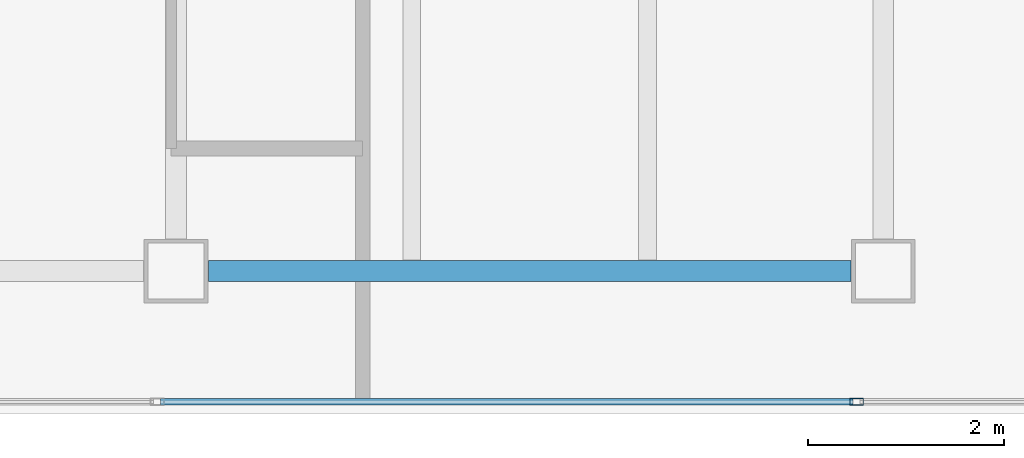
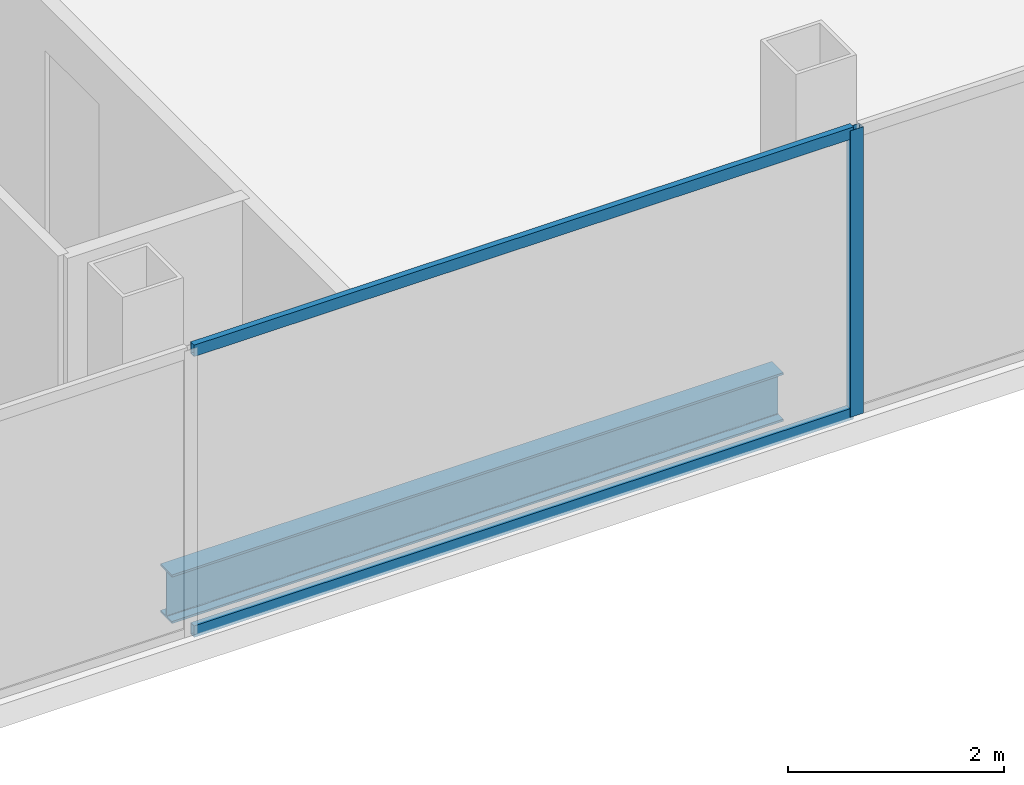
# One storey, part 12 of 23: 3 members, 1 beam, 1 element without a shape of its own.
"""IFC4 building model written with IfcOpenShell, lengths in metres."""

from ifc_helpers import new_model, si_unit, direction, frame, origin, origin_2d, place, context, subcontext, project, spatial, hollow_rectangle, i_section, extrude, material, material_profile, profile_set, type_object, element, aggregate, save


model = new_model("IFC4")

# Units and contexts
model_context = context("Model", 3, precision=1e-05, world=origin(), true_north=direction((0.0, 1.0)))
body_context = subcontext(model_context, "Body", "Model", "MODEL_VIEW")
ifc_project = project(units=[si_unit("LENGTHUNIT", "METRE"), si_unit("AREAUNIT", "SQUARE_METRE"), si_unit("VOLUMEUNIT", "CUBIC_METRE"), si_unit("PLANEANGLEUNIT", "RADIAN"), si_unit("MASSUNIT", "GRAM", prefix="KILO")], contexts=[model_context])

# Site, building, storey
site_placement = place(None, origin())
site = spatial("IfcSite", under=ifc_project, at=site_placement, CompositionType="ELEMENT")
building_placement = place(site_placement, origin())
building = spatial("IfcBuilding", under=site, at=building_placement, Name="Cobrela Telecom Tower", CompositionType="ELEMENT")
storey_placement = place(building_placement, frame((0.0, 0.0, 276.14990234375)))
storey = spatial("IfcBuildingStorey", under=building, at=storey_placement, Name="L72", CompositionType="ELEMENT", Elevation=276.14990234375)

# Beam
ifc_material_1 = material(Name="Steel ASTM A992 Grade 50", Category="steel")
ifc_material_profile_1 = material_profile(ifc_material_1, i_section(OverallWidth=0.212890625, OverallDepth=0.549072265625, WebThickness=0.0146484375, FlangeThickness=0.023681640625, FilletRadius=0.013916015625, at=origin_2d()), Name="W21X93")
ifc_profile_set_1 = profile_set([ifc_material_profile_1], Name="Steel ASTM A992 Grade 50")
beam_type = type_object("IfcBeamType", Name="BM-GIRD-08", PredefinedType="USERDEFINED", material=ifc_profile_set_1)
beam_placement = place(storey_placement, frame((29.1298828125, 7.85009765625, -0.534423828125), z_axis=(1.0, 0.0, 0.0), x_axis=(0.0, 1.0, 0.0)))
element("IfcBeam", 1, at=beam_placement, inside=storey, type_object=beam_type, Name="L72 Primary Girder X04", ObjectType="GIRDER", PredefinedType="USERDEFINED", context=body_context, shape_type="SweptSolid", body=[
    extrude(i_section(OverallWidth=0.212890625, OverallDepth=0.549072265625, WebThickness=0.0146484375, FlangeThickness=0.023681640625, FilletRadius=0.013916015625, at=origin_2d()), origin(), (0.0, 0.0, 1.0), 6.5400390625),
])

# Curtain wall, members
ifc_material_2 = material(Name="Anodized Bronze Aluminium 6063-T6", Category="aluminium")
curtain_wall_type = type_object("IfcCurtainWallType", Name="CW-SYS-OFF-HI", PredefinedType="USERDEFINED", material=ifc_material_2)
curtain_wall_placement = place(storey_placement, origin())
curtain_wall = element("IfcCurtainWall", 2, at=curtain_wall_placement, inside=storey, type_object=curtain_wall_type, Name="L72 Unitised Bronze Curtain Wall 15", ObjectType="UNITISED CURTAIN WALL", PredefinedType="USERDEFINED")
ifc_material_profile_2 = material_profile(ifc_material_2, hollow_rectangle(XDim=0.070068359375, YDim=0.139892578125, WallThickness=0.00390625, at=origin_2d()), Name="ALU 70x140x4")
ifc_profile_set_2 = profile_set([ifc_material_profile_2], Name="Anodized Bronze Aluminium 6063-T6")
member_type_1 = type_object("IfcMemberType", Name="CW-SYS-OFF-HI-MUL", PredefinedType="MULLION", material=ifc_profile_set_2)
member_1_placement = place(storey_placement, frame((35.728271484375, 6.52001953125, 0.0), z_axis=(0.0, 0.0, 1.0), x_axis=(0.0, -1.0, 0.0)))
member_1 = element("IfcMember", 3, at=member_1_placement, type_object=member_type_1, Name="CW-OFF-HI mullion 2", PredefinedType="MULLION", context=body_context, shape_type="SweptSolid", body=[
    extrude(hollow_rectangle(XDim=0.070068359375, YDim=0.139892578125, WallThickness=0.00390625, at=origin_2d()), origin(), (0.0, 0.0, 1.0), 3.239990234375),
])
ifc_material_profile_3 = material_profile(ifc_material_2, hollow_rectangle(XDim=0.06494140625, YDim=0.1298828125, WallThickness=0.00390625, at=origin_2d()), Name="ALU 65x130x4")
ifc_profile_set_3 = profile_set([ifc_material_profile_3], Name="Anodized Bronze Aluminium 6063-T6")
member_type_2 = type_object("IfcMemberType", Name="CW-SYS-OFF-HI-TRN", PredefinedType="USERDEFINED", material=ifc_profile_set_3)
member_2_placement = place(storey_placement, frame((35.693359375, 6.52001953125, 0.03271484375), z_axis=(-1.0, 0.0, 0.0), x_axis=(0.0, -1.0, 0.0)))
member_2 = element("IfcMember", 4, at=member_2_placement, type_object=member_type_2, Name="CW-OFF-HI transom 2.1", ObjectType="TRANSOM", PredefinedType="USERDEFINED", context=body_context, shape_type="SweptSolid", body=[
    extrude(hollow_rectangle(XDim=0.06494140625, YDim=0.1298828125, WallThickness=0.00390625, at=origin_2d()), origin(), (0.0, 0.0, 1.0), 7.0517578125),
])
member_3_placement = place(storey_placement, frame((35.693359375, 6.52001953125, 3.20751953125), z_axis=(-1.0, 0.0, 0.0), x_axis=(0.0, -1.0, 0.0)))
member_3 = element("IfcMember", 5, at=member_3_placement, type_object=member_type_2, Name="CW-OFF-HI transom 2.2", ObjectType="TRANSOM", PredefinedType="USERDEFINED", context=body_context, shape_type="SweptSolid", body=[
    extrude(hollow_rectangle(XDim=0.06494140625, YDim=0.1298828125, WallThickness=0.00390625, at=origin_2d()), origin(), (0.0, 0.0, 1.0), 7.0517578125),
])
aggregate(curtain_wall, [member_1, member_2, member_3])

save(model, "model.ifc")
